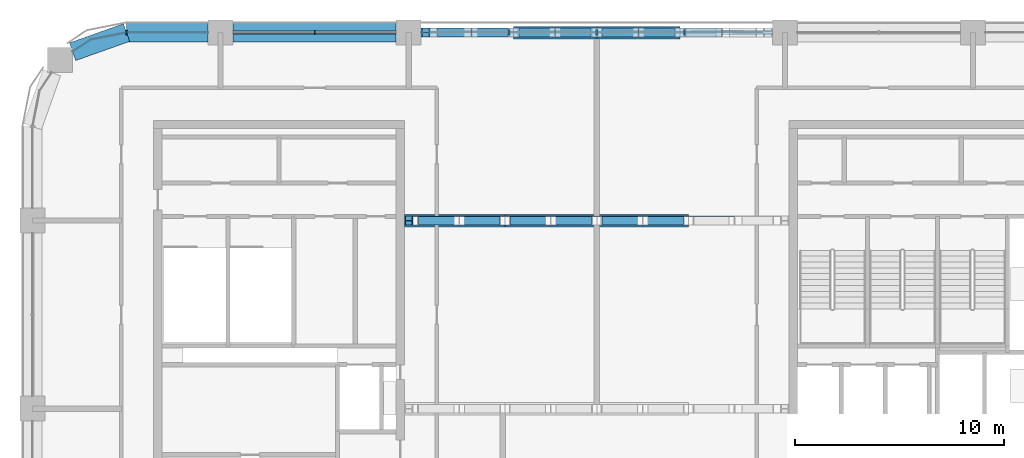
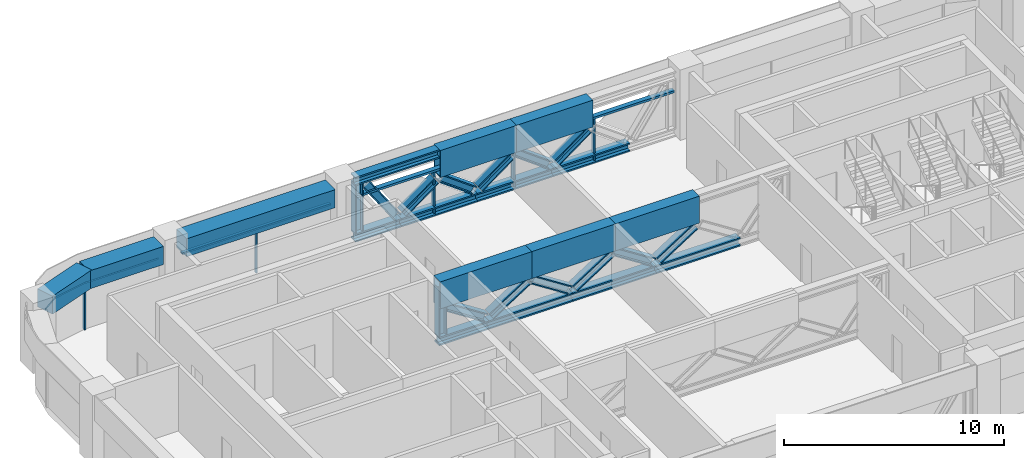
# One storey, part 4 of 12: 36 members, 3 beams, 3 elements without a shape of their own.
"""IFC4 building model written with IfcOpenShell, lengths in metres."""

from ifc_helpers import new_model, si_unit, direction, frame, origin, origin_2d, place, context, subcontext, project, spatial, polyline, rectangle, hollow_rectangle, i_section, outline, extrude, material, material_profile, profile_set, type_object, element, aggregate, save


model = new_model("IFC4")

# Units and contexts
model_context = context("Model", 3, precision=1e-05, world=origin(), true_north=direction((0.0, 1.0)))
body_context = subcontext(model_context, "Body", "Model", "MODEL_VIEW")
ifc_project = project(units=[si_unit("LENGTHUNIT", "METRE"), si_unit("AREAUNIT", "SQUARE_METRE"), si_unit("VOLUMEUNIT", "CUBIC_METRE"), si_unit("PLANEANGLEUNIT", "RADIAN"), si_unit("MASSUNIT", "GRAM", prefix="KILO")], contexts=[model_context])

# Site, building, storey
site_placement = place(None, origin())
site = spatial("IfcSite", under=ifc_project, at=site_placement, CompositionType="ELEMENT")
building_placement = place(site_placement, origin())
building = spatial("IfcBuilding", under=site, at=building_placement, Name="Tessera Arch", CompositionType="ELEMENT")
storey_placement = place(building_placement, frame((0.0, 0.0, 230.60009765625)))
storey = spatial("IfcBuildingStorey", under=building, at=storey_placement, Name="L55", CompositionType="ELEMENT", Elevation=230.60009765625)

# Members
ifc_material_1 = material(Name="Steel A572 Gr50", Category="steel")
ifc_material_profile_1 = material_profile(ifc_material_1, hollow_rectangle(XDim=0.60009765625, YDim=1.5, WallThickness=0.06005859375, at=origin_2d()), Name="BOX 600x1500x60")
ifc_profile_set_1 = profile_set([ifc_material_profile_1], Name="Steel A572 Gr50")
member_type_1 = type_object("IfcMemberType", Name="Bridge truss node girder BOX 600x1500x60", PredefinedType="CHORD", material=ifc_profile_set_1)
member_1_placement = place(storey_placement, frame((17.800048828125, 45.0, 2.849853515625), z_axis=(1.0, 0.0, 0.0), x_axis=(0.0, 1.0, 0.0)))
element("IfcMember", 1, at=member_1_placement, inside=storey, type_object=member_type_1, Name="Bridge truss node girder 1", PredefinedType="CHORD", context=body_context, shape_type="SweptSolid", body=[
    extrude(hollow_rectangle(XDim=0.60009765625, YDim=1.5, WallThickness=0.06005859375, at=origin_2d()), origin(), (0.0, 0.0, 1.0), 4.808349609375),
])
for number, where, z_axis, x_axis, name in (
    (2, (22.6083984375, 45.0, 2.849853515625), (1.0, 0.0, 0.0), (0.0, 1.0, 0.0), "Bridge truss node girder 2"),
    (3, (27.0, 45.0, 2.849853515625), (1.0, 0.0, 0.0), (0.0, 1.0, 0.0), "Bridge truss node girder 3"),
):
    element("IfcMember", number, at=place(storey_placement, frame(where, z_axis=z_axis, x_axis=x_axis)), inside=storey, type_object=member_type_1, Name=name, PredefinedType="CHORD", context=body_context, shape_type="SweptSolid", body=[
        extrude(hollow_rectangle(XDim=0.60009765625, YDim=1.5, WallThickness=0.06005859375, at=origin_2d()), origin(), (0.0, 0.0, 1.0), 4.3916015625),
    ])
for number, where, z_axis, x_axis, name in (
    (4, (23.00830078125, 54.0, 2.849853515625), (1.0, 0.0, 0.0), (0.0, 1.0, 0.0), "Bridge truss node girder 2"),
    (5, (27.0, 54.0, 2.849853515625), (1.0, 0.0, 0.0), (0.0, 1.0, 0.0), "Bridge truss node girder 3"),
):
    element("IfcMember", number, at=place(storey_placement, frame(where, z_axis=z_axis, x_axis=x_axis)), inside=storey, type_object=member_type_1, Name=name, PredefinedType="CHORD", context=body_context, shape_type="SweptSolid", body=[
        extrude(hollow_rectangle(XDim=0.60009765625, YDim=1.5, WallThickness=0.06005859375, at=origin_2d()), origin(), (0.0, 0.0, 1.0), 3.99169921875),
    ])

# Curtain wall, members
ifc_material_2 = material(Name="CW1 curtain wall")
curtain_wall_type_1 = type_object("IfcCurtainWallType", Name="CW1 curtain wall", PredefinedType="NOTDEFINED", material=ifc_material_2)
curtain_wall_1_placement = place(storey_placement, origin())
curtain_wall_1 = element("IfcCurtainWall", 6, at=curtain_wall_1_placement, inside=storey, type_object=curtain_wall_type_1, Name="CW1 curtain wall N54.0/3 L55", PredefinedType="NOTDEFINED")
ifc_material_3 = material(Name="Anodised aluminium pale metal", Category="aluminium")
ifc_material_profile_2 = material_profile(ifc_material_3, rectangle(XDim=0.159912109375, YDim=0.06005859375, at=origin_2d()), Name="AL 60x160")
ifc_profile_set_2 = profile_set([ifc_material_profile_2], Name="Anodised aluminium pale metal")
member_type_2 = type_object("IfcMemberType", Name="CW1 mullion", PredefinedType="MULLION", material=ifc_profile_set_2)
member_2_placement = place(storey_placement, frame((13.5, 54.0, 0.0), z_axis=(0.0, 0.0, 1.0), x_axis=(0.0, -1.0, 0.0)))
member_2 = element("IfcMember", 7, at=member_2_placement, type_object=member_type_2, Name="CW1 mullion N54.0/3 1", PredefinedType="MULLION", context=body_context, shape_type="SweptSolid", body=[
    extrude(rectangle(XDim=0.159912109375, YDim=0.06005859375, at=origin_2d()), origin(), (0.0, 0.0, 1.0), 2.389892578125),
])
ifc_material_4 = material(Name="Anodised aluminium pale metal", Category="aluminium")
ifc_material_profile_3 = material_profile(ifc_material_4, rectangle(XDim=0.159912109375, YDim=0.10009765625, at=origin_2d()), Name="AL 160x100")
ifc_profile_set_3 = profile_set([ifc_material_profile_3], Name="Anodised aluminium pale metal")
member_type_3 = type_object("IfcMemberType", Name="CW1 transom", PredefinedType="USERDEFINED", material=ifc_profile_set_3)
member_3_placement = place(storey_placement, frame((17.39990234375, 54.0, 2.43994140625), z_axis=(-1.0, 0.0, 0.0), x_axis=(0.0, -1.0, 0.0)))
member_3 = element("IfcMember", 8, at=member_3_placement, type_object=member_type_3, Name="CW1 transom N54.0/3 1.1", ObjectType="TRANSOM", PredefinedType="USERDEFINED", context=body_context, shape_type="SweptSolid", body=[
    extrude(rectangle(XDim=0.159912109375, YDim=0.10009765625, at=origin_2d()), origin(), (0.0, 0.0, 1.0), 7.7998046875),
])
aggregate(curtain_wall_1, [member_2, member_3])

ifc_material_5 = material(Name="CW2 curtain wall")
curtain_wall_type_2 = type_object("IfcCurtainWallType", Name="CW2 curtain wall", PredefinedType="NOTDEFINED", material=ifc_material_5)
curtain_wall_2_placement = place(storey_placement, origin())
curtain_wall_2 = element("IfcCurtainWall", 9, at=curtain_wall_2_placement, inside=storey, type_object=curtain_wall_type_2, Name="CW2 curtain wall N54.0/4 L55", PredefinedType="NOTDEFINED")
ifc_material_6 = material(Name="Anodised aluminium pale metal", Category="aluminium")
ifc_material_profile_4 = material_profile(ifc_material_6, rectangle(XDim=0.199951171875, YDim=0.080078125, at=origin_2d()), Name="AL 80x200")
ifc_profile_set_4 = profile_set([ifc_material_profile_4], Name="Anodised aluminium pale metal")
member_type_4 = type_object("IfcMemberType", Name="CW2 mullion", PredefinedType="MULLION", material=ifc_profile_set_4)
member_4_placement = place(storey_placement, frame((4.5, 54.0, 0.0), z_axis=(0.0, 0.0, 1.0), x_axis=(0.0, -1.0, 0.0)))
member_4 = element("IfcMember", 10, at=member_4_placement, type_object=member_type_4, Name="CW2 mullion N54.0/4 1", PredefinedType="MULLION", context=body_context, shape_type="SweptSolid", body=[
    extrude(rectangle(XDim=0.199951171875, YDim=0.080078125, at=origin_2d()), origin(), (0.0, 0.0, 1.0), 2.5),
])
ifc_material_7 = material(Name="Anodised aluminium pale metal", Category="aluminium")
ifc_material_profile_5 = material_profile(ifc_material_7, rectangle(XDim=0.199951171875, YDim=0.10009765625, at=origin_2d()), Name="AL 200x100")
ifc_profile_set_5 = profile_set([ifc_material_profile_5], Name="Anodised aluminium pale metal")
member_type_5 = type_object("IfcMemberType", Name="CW2 transom", PredefinedType="USERDEFINED", material=ifc_profile_set_5)
member_5_placement = place(storey_placement, frame((0.0, 0.0, 2.5)))
member_5 = element("IfcMember", 11, at=member_5_placement, type_object=member_type_5, Name="CW2 transom N54.0/4 1", ObjectType="TRANSOM", PredefinedType="USERDEFINED", context=body_context, shape_type="SweptSolid", body=[
    extrude(outline(polyline([(4.5009765625, 53.989990234375), (8.39990234375, 53.989990234375), (8.39990234375, 54.010009765625), (4.4990234375, 54.010009765625), (2.77392578125, 53.6669921875), (1.912353515625, 53.09130859375), (1.923583984375, 53.07470703125), (2.78173828125, 53.648193359375), (4.5009765625, 53.989990234375)])), origin(), (0.0, 0.0, 1.0), 0.099853515625),
])
aggregate(curtain_wall_2, [member_4, member_5])

ifc_material_8 = material(Name="CW4 curtain wall")
curtain_wall_type_3 = type_object("IfcCurtainWallType", Name="CW4 curtain wall", PredefinedType="NOTDEFINED", material=ifc_material_8)
curtain_wall_3_placement = place(storey_placement, origin())
curtain_wall_3 = element("IfcCurtainWall", 12, at=curtain_wall_3_placement, inside=storey, type_object=curtain_wall_type_3, Name="CW4 curtain wall N54.0/2 L55", PredefinedType="NOTDEFINED")
ifc_material_9 = material(Name="Anodised aluminium pale metal", Category="aluminium")
ifc_material_profile_6 = material_profile(ifc_material_9, rectangle(XDim=0.25, YDim=0.080078125, at=origin_2d()), Name="AL 80x250")
ifc_profile_set_6 = profile_set([ifc_material_profile_6], Name="Anodised aluminium pale metal")
member_type_6 = type_object("IfcMemberType", Name="CW4 mullion", PredefinedType="MULLION", material=ifc_profile_set_6)
member_6_placement = place(storey_placement, frame((31.199951171875, 54.0, 0.0), z_axis=(0.0, 0.0, 1.0), x_axis=(0.0, -1.0, 0.0)))
member_6 = element("IfcMember", 13, at=member_6_placement, type_object=member_type_6, Name="CW4 mullion N54.0/2 1", PredefinedType="MULLION", context=body_context, shape_type="SweptSolid", body=[
    extrude(rectangle(XDim=0.25, YDim=0.080078125, at=origin_2d()), origin(), (0.0, 0.0, 1.0), 2.369873046875),
])
member_7_placement = place(storey_placement, frame((27.0, 54.0, 0.0), z_axis=(0.0, 0.0, 1.0), x_axis=(0.0, -1.0, 0.0)))
member_7 = element("IfcMember", 14, at=member_7_placement, type_object=member_type_6, Name="CW4 mullion N54.0/2 2", PredefinedType="MULLION", context=body_context, shape_type="SweptSolid", body=[
    extrude(rectangle(XDim=0.25, YDim=0.080078125, at=origin_2d()), origin(), (0.0, 0.0, 1.0), 2.369873046875),
])
member_8_placement = place(storey_placement, frame((22.800048828125, 54.0, 0.0), z_axis=(0.0, 0.0, 1.0), x_axis=(0.0, -1.0, 0.0)))
member_8 = element("IfcMember", 15, at=member_8_placement, type_object=member_type_6, Name="CW4 mullion N54.0/2 3", PredefinedType="MULLION", context=body_context, shape_type="SweptSolid", body=[
    extrude(rectangle(XDim=0.25, YDim=0.080078125, at=origin_2d()), origin(), (0.0, 0.0, 1.0), 2.369873046875),
])
ifc_material_10 = material(Name="Anodised aluminium pale metal", Category="aluminium")
ifc_material_profile_7 = material_profile(ifc_material_10, rectangle(XDim=0.25, YDim=0.1201171875, at=origin_2d()), Name="AL 250x120")
ifc_profile_set_7 = profile_set([ifc_material_profile_7], Name="Anodised aluminium pale metal")
member_type_7 = type_object("IfcMemberType", Name="CW4 transom", PredefinedType="USERDEFINED", material=ifc_profile_set_7)
member_9_placement = place(storey_placement, frame((35.39990234375, 54.0, 2.429931640625), z_axis=(-1.0, 0.0, 0.0), x_axis=(0.0, -1.0, 0.0)))
member_9 = element("IfcMember", 16, at=member_9_placement, type_object=member_type_7, Name="CW4 transom N54.0/2 1.1", ObjectType="TRANSOM", PredefinedType="USERDEFINED", context=body_context, shape_type="SweptSolid", body=[
    extrude(rectangle(XDim=0.25, YDim=0.1201171875, at=origin_2d()), origin(), (0.0, 0.0, 1.0), 16.7998046875),
])
aggregate(curtain_wall_3, [member_6, member_7, member_8, member_9])

# Beams
ifc_material_11 = material(Name="Concrete C60/75", Category="concrete")
ifc_material_profile_8 = material_profile(ifc_material_11, rectangle(XDim=0.89990234375, YDim=1.0, at=origin_2d()), Name="RC spandrel beam 900 x 1000 Concrete C60/75")
ifc_profile_set_8 = profile_set([ifc_material_profile_8], Name="Concrete C60/75")
beam_type = type_object("IfcBeamType", Name="RC spandrel beam 900 x 1000 Concrete C60/75", PredefinedType="BEAM", material=ifc_profile_set_8)
beam_1_placement = place(storey_placement, frame((17.39990234375, 54.0, 2.989990234375), z_axis=(-1.0, 0.0, 0.0), x_axis=(0.0, -1.0, 0.0)))
element("IfcBeam", 17, at=beam_1_placement, inside=storey, type_object=beam_type, Name="Spandrel beam L55 N54.0/3", PredefinedType="BEAM", context=body_context, shape_type="SweptSolid", body=[
    extrude(rectangle(XDim=0.89990234375, YDim=1.0, at=origin_2d()), origin(), (0.0, 0.0, 1.0), 7.7998046875),
])
beam_2_placement = place(storey_placement, frame((8.39990234375, 54.0, 2.989990234375), z_axis=(-1.0, 0.0, 0.0), x_axis=(0.0, -1.0, 0.0)))
element("IfcBeam", 18, at=beam_2_placement, inside=storey, type_object=beam_type, Name="Spandrel beam L55 N54.0/4.1", PredefinedType="BEAM", context=body_context, shape_type="SweptSolid", body=[
    extrude(rectangle(XDim=0.89990234375, YDim=1.0, at=origin_2d()), origin(), (0.0, 0.0, 1.0), 3.89990234375),
])
beam_3_placement = place(storey_placement, frame((4.5, 54.0, 2.989990234375), z_axis=(-0.942337127159, -0.334665114373, 0.0), x_axis=(0.334665114373, -0.942337127159, 0.0)))
element("IfcBeam", 19, at=beam_3_placement, inside=storey, type_object=beam_type, Name="Spandrel beam L55 N54.0/4.2", PredefinedType="BEAM", context=body_context, shape_type="SweptSolid", body=[
    extrude(rectangle(XDim=0.89990234375, YDim=1.0, at=origin_2d()), origin(), (0.0, 0.0, 1.0), 2.739990234375),
])

# Members
ifc_material_12 = material(Name="Steel A992 Gr50", Category="steel")
ifc_material_profile_9 = material_profile(ifc_material_12, i_section(OverallWidth=0.424072265625, OverallDepth=0.47412109375, WebThickness=0.047607421875, FlangeThickness=0.0771484375, at=origin_2d()), Name="W14x426")
ifc_profile_set_9 = profile_set([ifc_material_profile_9], Name="Steel A992 Gr50")
member_type_8 = type_object("IfcMemberType", Name="Truss chord W14x426", PredefinedType="CHORD", material=ifc_profile_set_9)
member_10_placement = place(storey_placement, frame((17.800048828125, 45.0, 0.237060546875), z_axis=(1.0, 0.0, 0.0), x_axis=(0.0, 1.0, 0.0)))
element("IfcMember", 20, at=member_10_placement, inside=storey, type_object=member_type_8, Name="Bridge truss bottom chord 1", PredefinedType="CHORD", context=body_context, shape_type="SweptSolid", body=[
    extrude(i_section(OverallWidth=0.424072265625, OverallDepth=0.47412109375, WebThickness=0.047607421875, FlangeThickness=0.0771484375, at=origin_2d()), origin(), (0.0, 0.0, 1.0), 2.6123046875),
])
member_11_placement = place(storey_placement, frame((20.412353515625, 45.0, 0.237060546875), z_axis=(1.0, 0.0, 0.0), x_axis=(0.0, 1.0, 0.0)))
element("IfcMember", 21, at=member_11_placement, inside=storey, type_object=member_type_8, Name="Bridge truss bottom chord 2", PredefinedType="CHORD", context=body_context, shape_type="SweptSolid", body=[
    extrude(i_section(OverallWidth=0.424072265625, OverallDepth=0.47412109375, WebThickness=0.047607421875, FlangeThickness=0.0771484375, at=origin_2d()), origin(), (0.0, 0.0, 1.0), 4.391845703125),
])
member_12_placement = place(storey_placement, frame((24.80419921875, 45.0, 0.237060546875), z_axis=(1.0, 0.0, 0.0), x_axis=(0.0, 1.0, 0.0)))
element("IfcMember", 22, at=member_12_placement, inside=storey, type_object=member_type_8, Name="Bridge truss bottom chord 3", PredefinedType="CHORD", context=body_context, shape_type="SweptSolid", body=[
    extrude(i_section(OverallWidth=0.424072265625, OverallDepth=0.47412109375, WebThickness=0.047607421875, FlangeThickness=0.0771484375, at=origin_2d()), origin(), (0.0, 0.0, 1.0), 4.3916015625),
])
member_13_placement = place(storey_placement, frame((29.19580078125, 45.0, 0.237060546875), z_axis=(1.0, 0.0, 0.0), x_axis=(0.0, 1.0, 0.0)))
element("IfcMember", 23, at=member_13_placement, inside=storey, type_object=member_type_8, Name="Bridge truss bottom chord 4", PredefinedType="CHORD", context=body_context, shape_type="SweptSolid", body=[
    extrude(i_section(OverallWidth=0.424072265625, OverallDepth=0.47412109375, WebThickness=0.047607421875, FlangeThickness=0.0771484375, at=origin_2d()), origin(), (0.0, 0.0, 1.0), 4.391845703125),
])
member_14_placement = place(storey_placement, frame((18.60009765625, 54.0, 3.36279296875), z_axis=(1.0, 0.0, 0.0), x_axis=(0.0, 1.0, 0.0)))
element("IfcMember", 24, at=member_14_placement, inside=storey, type_object=member_type_8, Name="Bridge truss top chord 1", PredefinedType="CHORD", context=body_context, shape_type="SweptSolid", body=[
    extrude(i_section(OverallWidth=0.424072265625, OverallDepth=0.47412109375, WebThickness=0.047607421875, FlangeThickness=0.0771484375, at=origin_2d()), origin(), (0.0, 0.0, 1.0), 4.408203125),
])
member_15_placement = place(storey_placement, frame((18.60009765625, 54.0, 0.237060546875), z_axis=(1.0, 0.0, 0.0), x_axis=(0.0, 1.0, 0.0)))
element("IfcMember", 25, at=member_15_placement, inside=storey, type_object=member_type_8, Name="Bridge truss bottom chord 1", PredefinedType="CHORD", context=body_context, shape_type="SweptSolid", body=[
    extrude(i_section(OverallWidth=0.424072265625, OverallDepth=0.47412109375, WebThickness=0.047607421875, FlangeThickness=0.0771484375, at=origin_2d()), origin(), (0.0, 0.0, 1.0), 2.412353515625),
])
for number, where, z_axis, x_axis, name in (
    (26, (21.012451171875, 54.0, 0.237060546875), (1.0, 0.0, 0.0), (0.0, 1.0, 0.0), "Bridge truss bottom chord 2"),
    (27, (25.004150390625, 54.0, 0.237060546875), (1.0, 0.0, 0.0), (0.0, 1.0, 0.0), "Bridge truss bottom chord 3"),
    (28, (28.995849609375, 54.0, 0.237060546875), (1.0, 0.0, 0.0), (0.0, 1.0, 0.0), "Bridge truss bottom chord 4"),
):
    element("IfcMember", number, at=place(storey_placement, frame(where, z_axis=z_axis, x_axis=x_axis)), inside=storey, type_object=member_type_8, Name=name, PredefinedType="CHORD", context=body_context, shape_type="SweptSolid", body=[
        extrude(i_section(OverallWidth=0.424072265625, OverallDepth=0.47412109375, WebThickness=0.047607421875, FlangeThickness=0.0771484375, at=origin_2d()), origin(), (0.0, 0.0, 1.0), 3.99169921875),
    ])
ifc_material_13 = material(Name="Steel A992 Gr50", Category="steel")
ifc_material_profile_10 = material_profile(ifc_material_13, i_section(OverallWidth=0.411376953125, OverallDepth=0.434326171875, WebThickness=0.035888671875, FlangeThickness=0.057373046875, at=origin_2d()), Name="W14x311")
ifc_profile_set_10 = profile_set([ifc_material_profile_10], Name="Steel A992 Gr50")
member_type_9 = type_object("IfcMemberType", Name="Truss diagonal W14x311", PredefinedType="BRACE", material=ifc_profile_set_10)
member_16_placement = place(storey_placement, frame((18.34912109375, 45.0, 1.907470703125), z_axis=(0.841213035914, 0.0, -0.540703826701), x_axis=(0.0, 1.0, 0.0)))
element("IfcMember", 29, at=member_16_placement, inside=storey, type_object=member_type_9, Name="Bridge truss diagonal 1", PredefinedType="BRACE", context=body_context, shape_type="SweptSolid", body=[
    extrude(i_section(OverallWidth=0.411376953125, OverallDepth=0.434326171875, WebThickness=0.035888671875, FlangeThickness=0.057373046875, at=origin_2d()), origin(), (0.0, 0.0, 1.0), 2.295166015625),
])
for number, where, z_axis, x_axis, name in (
    (30, (20.544921875, 45.0, 0.66650390625), (0.841244131584, 0.0, 0.540655445801), (0.0, 1.0, 0.0), "Bridge truss diagonal 2"),
    (31, (22.74072265625, 45.0, 1.907470703125), (0.841244131584, 0.0, -0.540655445801), (0.0, 1.0, 0.0), "Bridge truss diagonal 3"),
):
    element("IfcMember", number, at=place(storey_placement, frame(where, z_axis=z_axis, x_axis=x_axis)), inside=storey, type_object=member_type_9, Name=name, PredefinedType="BRACE", context=body_context, shape_type="SweptSolid", body=[
        extrude(i_section(OverallWidth=0.411376953125, OverallDepth=0.434326171875, WebThickness=0.035888671875, FlangeThickness=0.057373046875, at=origin_2d()), origin(), (0.0, 0.0, 1.0), 2.29541015625),
    ])
for number, where, z_axis, x_axis, name in (
    (32, (24.936767578125, 45.0, 0.66650390625), (0.841213035914, 0.0, 0.540703826701), (0.0, 1.0, 0.0), "Bridge truss diagonal 4"),
    (33, (27.132568359375, 45.0, 1.907470703125), (0.841213035914, 0.0, -0.540703826701), (0.0, 1.0, 0.0), "Bridge truss diagonal 5"),
):
    element("IfcMember", number, at=place(storey_placement, frame(where, z_axis=z_axis, x_axis=x_axis)), inside=storey, type_object=member_type_9, Name=name, PredefinedType="BRACE", context=body_context, shape_type="SweptSolid", body=[
        extrude(i_section(OverallWidth=0.411376953125, OverallDepth=0.434326171875, WebThickness=0.035888671875, FlangeThickness=0.057373046875, at=origin_2d()), origin(), (0.0, 0.0, 1.0), 2.295166015625),
    ])
member_17_placement = place(storey_placement, frame((29.328369140625, 45.0, 0.66650390625), z_axis=(0.841244131584, 0.0, 0.540655445801), x_axis=(0.0, 1.0, 0.0)))
element("IfcMember", 34, at=member_17_placement, inside=storey, type_object=member_type_9, Name="Bridge truss diagonal 6", PredefinedType="BRACE", context=body_context, shape_type="SweptSolid", body=[
    extrude(i_section(OverallWidth=0.411376953125, OverallDepth=0.434326171875, WebThickness=0.035888671875, FlangeThickness=0.057373046875, at=origin_2d()), origin(), (0.0, 0.0, 1.0), 2.29541015625),
])
member_18_placement = place(storey_placement, frame((19.206298828125, 54.0, 2.98876953125), z_axis=(0.562221758703, 0.0, -0.826986513821), x_axis=(0.0, 1.0, 0.0)))
element("IfcMember", 35, at=member_18_placement, inside=storey, type_object=member_type_9, Name="Bridge truss diagonal 1", PredefinedType="BRACE", context=body_context, shape_type="SweptSolid", body=[
    extrude(i_section(OverallWidth=0.411376953125, OverallDepth=0.434326171875, WebThickness=0.035888671875, FlangeThickness=0.057373046875, at=origin_2d()), origin(), (0.0, 0.0, 1.0), 2.875),
])
member_19_placement = place(storey_placement, frame((21.155517578125, 54.0, 0.659912109375), z_axis=(0.80636473205, 0.0, 0.591418564898), x_axis=(0.0, 1.0, 0.0)))
element("IfcMember", 36, at=member_19_placement, inside=storey, type_object=member_type_9, Name="Bridge truss diagonal 2", PredefinedType="BRACE", context=body_context, shape_type="SweptSolid", body=[
    extrude(i_section(OverallWidth=0.411376953125, OverallDepth=0.434326171875, WebThickness=0.035888671875, FlangeThickness=0.057373046875, at=origin_2d()), origin(), (0.0, 0.0, 1.0), 2.12060546875),
])
for number, where, z_axis, x_axis, name in (
    (37, (23.1513671875, 54.0, 1.9140625), (0.80632445703, 0.0, -0.59147347362), (0.0, 1.0, 0.0), "Bridge truss diagonal 3"),
    (38, (25.147216796875, 54.0, 0.659912109375), (0.80632445703, 0.0, 0.59147347362), (0.0, 1.0, 0.0), "Bridge truss diagonal 4"),
    (39, (27.14306640625, 54.0, 1.9140625), (0.80632445703, 0.0, -0.59147347362), (0.0, 1.0, 0.0), "Bridge truss diagonal 5"),
    (40, (29.138916015625, 54.0, 0.659912109375), (0.80632445703, 0.0, 0.59147347362), (0.0, 1.0, 0.0), "Bridge truss diagonal 6"),
):
    element("IfcMember", number, at=place(storey_placement, frame(where, z_axis=z_axis, x_axis=x_axis)), inside=storey, type_object=member_type_9, Name=name, PredefinedType="BRACE", context=body_context, shape_type="SweptSolid", body=[
        extrude(i_section(OverallWidth=0.411376953125, OverallDepth=0.434326171875, WebThickness=0.035888671875, FlangeThickness=0.057373046875, at=origin_2d()), origin(), (0.0, 0.0, 1.0), 2.120361328125),
    ])
ifc_material_14 = material(Name="Steel A992 Gr50", Category="steel")
ifc_material_profile_11 = material_profile(ifc_material_14, i_section(OverallWidth=0.406494140625, OverallDepth=0.41650390625, WebThickness=0.030029296875, FlangeThickness=0.048095703125, at=origin_2d()), Name="W14x257")
ifc_profile_set_11 = profile_set([ifc_material_profile_11], Name="Steel A992 Gr50")
member_type_10 = type_object("IfcMemberType", Name="Truss post W14x257", PredefinedType="POST", material=ifc_profile_set_11)
for number, where, z_axis, x_axis, name in (
    (41, (18.00830078125, 45.0, 0.47412109375), (0.0, 0.0, 1.0), (0.0, 1.0, 0.0), "Bridge truss end post 1"),
    (42, (18.808349609375, 54.0, 0.47412109375), (0.0, 0.0, 1.0), (0.0, 1.0, 0.0), "Bridge truss end post 1"),
):
    element("IfcMember", number, at=place(storey_placement, frame(where, z_axis=z_axis, x_axis=x_axis)), inside=storey, type_object=member_type_10, Name=name, PredefinedType="POST", context=body_context, shape_type="SweptSolid", body=[
        extrude(i_section(OverallWidth=0.406494140625, OverallDepth=0.41650390625, WebThickness=0.030029296875, FlangeThickness=0.048095703125, at=origin_2d()), origin(), (0.0, 0.0, 1.0), 2.651611328125),
    ])

save(model, "model.ifc")
